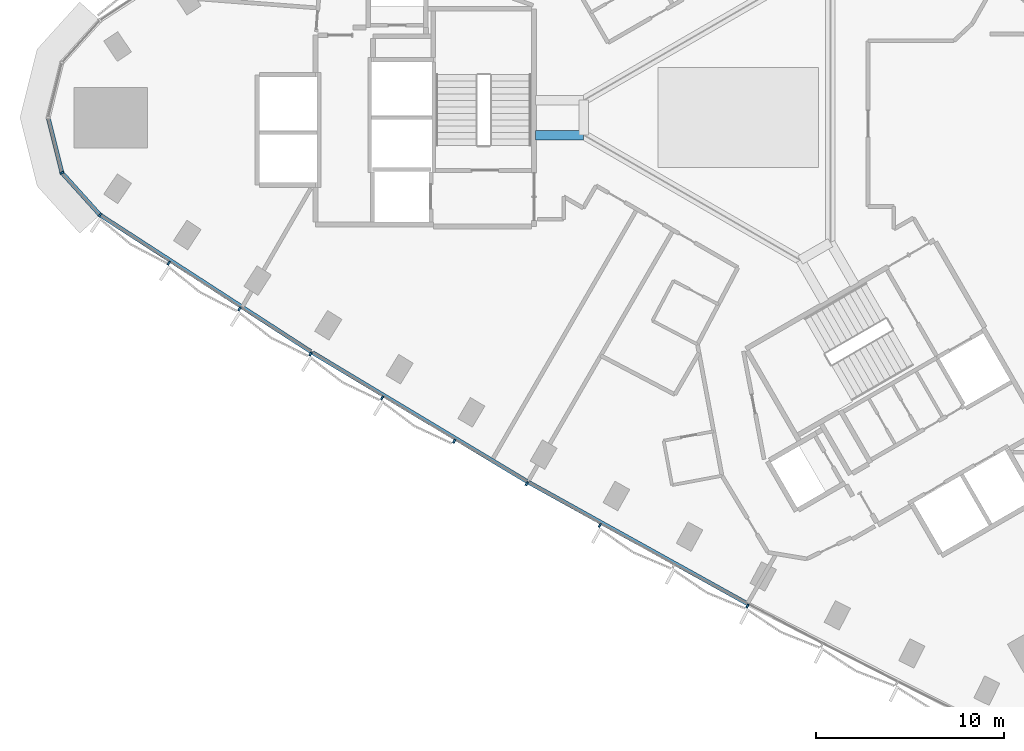
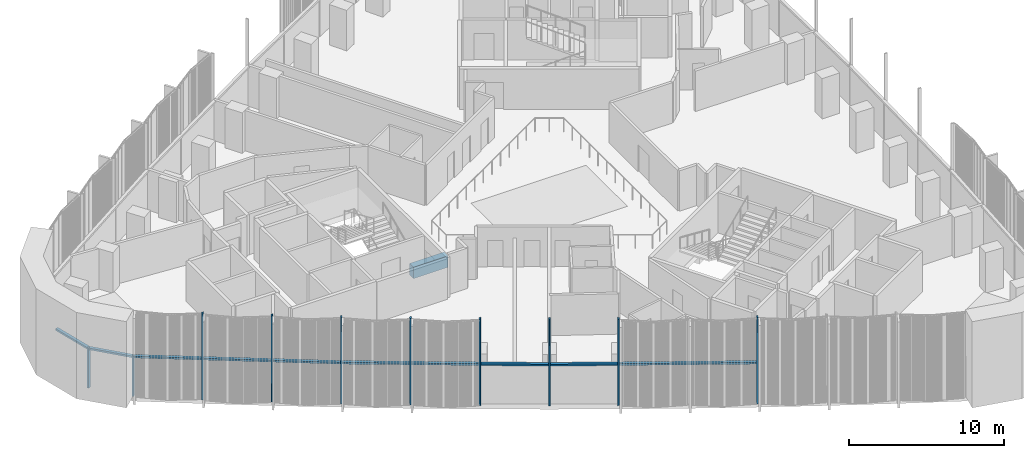
# One storey, part 2 of 15: 15 members, 1 beam, 2 elements without a shape of their own.
"""IFC4 building model written with IfcOpenShell, lengths in metres."""

from ifc_helpers import new_model, si_unit, direction, frame, origin, origin_2d, place, context, subcontext, project, spatial, rectangle, extrude, material, material_profile, profile_set, type_object, element, aggregate, save


model = new_model("IFC4")

# Units and contexts
model_context = context("Model", 3, precision=1e-05, world=origin(), true_north=direction((0.0, 1.0)))
body_context = subcontext(model_context, "Body", "Model", "MODEL_VIEW")
ifc_project = project(units=[si_unit("LENGTHUNIT", "METRE"), si_unit("AREAUNIT", "SQUARE_METRE"), si_unit("VOLUMEUNIT", "CUBIC_METRE"), si_unit("PLANEANGLEUNIT", "RADIAN"), si_unit("MASSUNIT", "GRAM", prefix="KILO")], contexts=[model_context])

# Site, building, storey
site_placement = place(None, origin())
site = spatial("IfcSite", under=ifc_project, at=site_placement, CompositionType="ELEMENT")
building_placement = place(site_placement, origin())
building = spatial("IfcBuilding", under=site, at=building_placement, Name="Tamra Quay Hotel Tower", CompositionType="ELEMENT")
storey_placement = place(building_placement, frame((0.0, 0.0, 79.39990234375)))
storey = spatial("IfcBuildingStorey", under=building, at=storey_placement, Name="L18", CompositionType="ELEMENT", Elevation=79.39990234375)

# Beam
ifc_material_1 = material(Name="Concrete M60", Category="concrete")
ifc_material_profile_1 = material_profile(ifc_material_1, rectangle(XDim=0.5, YDim=0.89990234375, at=origin_2d()), Name="ATRIUM TIE BEAM RC 500x900")
ifc_profile_set_1 = profile_set([ifc_material_profile_1], Name="Concrete M60")
beam_type = type_object("IfcBeamType", Name="ATRIUM TIE BEAM RC 500x900", PredefinedType="BEAM", material=ifc_profile_set_1)
beam_placement = place(storey_placement, frame((-8.199951171875, -0.923828125, -0.875), z_axis=(-1.0, 0.0, 0.0), x_axis=(0.0, -1.0, 0.0)))
element("IfcBeam", 1, at=beam_placement, inside=storey, type_object=beam_type, Name="BM-TIE-3-L18", PredefinedType="BEAM", context=body_context, shape_type="SweptSolid", body=[
    extrude(rectangle(XDim=0.5, YDim=0.89990234375, at=origin_2d()), origin(), (0.0, 0.0, 1.0), 2.562255859375),
])

# Curtain wall, member
ifc_material_2 = material(Name="Aluminium 6063 anodised dark grey", Category="aluminium")
curtain_wall_type_1 = type_object("IfcCurtainWallType", Name="CW2 CURTAIN WALL", PredefinedType="NOTDEFINED", material=ifc_material_2)
curtain_wall_1_placement = place(storey_placement, origin())
curtain_wall_1 = element("IfcCurtainWall", 2, at=curtain_wall_1_placement, inside=storey, type_object=curtain_wall_type_1, Name="CW2 north-west face L18", PredefinedType="NOTDEFINED")
ifc_material_profile_2 = material_profile(ifc_material_2, rectangle(XDim=0.219970703125, YDim=0.10009765625, at=origin_2d()), Name="MULLION 100X220")
ifc_profile_set_2 = profile_set([ifc_material_profile_2], Name="Aluminium 6063 anodised dark grey")
member_type_1 = type_object("IfcMemberType", Name="MULLION CW2 Z2", PredefinedType="MULLION", material=ifc_profile_set_2)
member_1_placement = place(storey_placement, frame((-35.90673828125, -2.9267578125, 0.0), z_axis=(0.0, 0.0, 1.0), x_axis=(-0.882543846683, -0.47023011248, 0.0)))
member_1 = element("IfcMember", 3, at=member_1_placement, type_object=member_type_1, Name="CW2 mullion L18.NW.16", PredefinedType="MULLION", context=body_context, shape_type="SweptSolid", body=[
    extrude(rectangle(XDim=0.219970703125, YDim=0.10009765625, at=origin_2d()), origin(), (0.0, 0.0, 1.0), 3.175048828125),
])

# Curtain wall, members
curtain_wall_type_2 = type_object("IfcCurtainWallType", Name="CW3 CURTAIN WALL", PredefinedType="NOTDEFINED", material=ifc_material_2)
curtain_wall_2_placement = place(storey_placement, origin())
curtain_wall_2 = element("IfcCurtainWall", 4, at=curtain_wall_2_placement, inside=storey, type_object=curtain_wall_type_2, Name="CW3 south-west face L18", PredefinedType="NOTDEFINED")
ifc_material_profile_3 = material_profile(ifc_material_2, rectangle(XDim=0.219970703125, YDim=0.10009765625, at=origin_2d()), Name="MULLION 100X220")
ifc_profile_set_3 = profile_set([ifc_material_profile_3], Name="Aluminium 6063 anodised dark grey")
member_type_2 = type_object("IfcMemberType", Name="MULLION CW3 Z2", PredefinedType="MULLION", material=ifc_profile_set_3)
member_2_placement = place(storey_placement, frame((-33.88525390625, -5.166015625, 0.0), z_axis=(0.0, 0.0, 1.0), x_axis=(-0.652886907072, -0.757455402366, 0.0)))
member_2 = element("IfcMember", 5, at=member_2_placement, type_object=member_type_2, Name="CW3 mullion L18.SW.1", PredefinedType="MULLION", context=body_context, shape_type="SweptSolid", body=[
    extrude(rectangle(XDim=0.219970703125, YDim=0.10009765625, at=origin_2d()), origin(), (0.0, 0.0, 1.0), 3.175048828125),
])
member_3_placement = place(storey_placement, frame((-30.2275390625, -7.7275390625, 0.0), z_axis=(0.0, 0.0, 1.0), x_axis=(-0.548547395815, -0.836119461886, 0.0)))
member_3 = element("IfcMember", 6, at=member_3_placement, type_object=member_type_2, Name="CW3 mullion L18.SW.2", PredefinedType="MULLION", context=body_context, shape_type="SweptSolid", body=[
    extrude(rectangle(XDim=0.219970703125, YDim=0.10009765625, at=origin_2d()), origin(), (0.0, 0.0, 1.0), 6.775146484375),
])
member_4_placement = place(storey_placement, frame((-26.480224609375, -10.155517578125, 0.0), z_axis=(0.0, 0.0, 1.0), x_axis=(-0.538998382955, -0.842306798721, 0.0)))
member_4 = element("IfcMember", 7, at=member_4_placement, type_object=member_type_2, Name="CW3 mullion L18.SW.3", PredefinedType="MULLION", context=body_context, shape_type="SweptSolid", body=[
    extrude(rectangle(XDim=0.219970703125, YDim=0.10009765625, at=origin_2d()), origin(), (0.0, 0.0, 1.0), 6.775146484375),
])
member_5_placement = place(storey_placement, frame((-22.70556640625, -12.540771484375, 0.0), z_axis=(0.0, 0.0, 1.0), x_axis=(-0.529364244047, -0.848394658826, 0.0)))
member_5 = element("IfcMember", 8, at=member_5_placement, type_object=member_type_2, Name="CW3 mullion L18.SW.4", PredefinedType="MULLION", context=body_context, shape_type="SweptSolid", body=[
    extrude(rectangle(XDim=0.219970703125, YDim=0.10009765625, at=origin_2d()), origin(), (0.0, 0.0, 1.0), 6.775146484375),
])
member_6_placement = place(storey_placement, frame((-18.90380859375, -14.883056640625, 0.0), z_axis=(0.0, 0.0, 1.0), x_axis=(-0.519649964402, -0.854379256827, 0.0)))
member_6 = element("IfcMember", 9, at=member_6_placement, type_object=member_type_2, Name="CW3 mullion L18.SW.5", PredefinedType="MULLION", context=body_context, shape_type="SweptSolid", body=[
    extrude(rectangle(XDim=0.219970703125, YDim=0.10009765625, at=origin_2d()), origin(), (0.0, 0.0, 1.0), 6.775146484375),
])
member_7_placement = place(storey_placement, frame((-15.07568359375, -17.181396484375, 0.0), z_axis=(0.0, 0.0, 1.0), x_axis=(-0.50986039475, -0.860257157985, 0.0)))
member_7 = element("IfcMember", 10, at=member_7_placement, type_object=member_type_2, Name="CW3 mullion L18.SW.6", PredefinedType="MULLION", context=body_context, shape_type="SweptSolid", body=[
    extrude(rectangle(XDim=0.219970703125, YDim=0.10009765625, at=origin_2d()), origin(), (0.0, 0.0, 1.0), 6.775146484375),
])
member_8_placement = place(storey_placement, frame((-11.221435546875, -19.436279296875, 0.0), z_axis=(0.0, 0.0, 1.0), x_axis=(-0.5, -0.866025403784, 0.0)))
member_8 = element("IfcMember", 11, at=member_8_placement, type_object=member_type_2, Name="CW3 mullion L18.SW.7", PredefinedType="MULLION", context=body_context, shape_type="SweptSolid", body=[
    extrude(rectangle(XDim=0.219970703125, YDim=0.10009765625, at=origin_2d()), origin(), (0.0, 0.0, 1.0), 6.775146484375),
])
member_9_placement = place(storey_placement, frame((-7.341796875, -21.646728515625, 0.0), z_axis=(0.0, 0.0, 1.0), x_axis=(-0.490074355228, -0.87168063323, 0.0)))
member_9 = element("IfcMember", 12, at=member_9_placement, type_object=member_type_2, Name="CW3 mullion L18.SW.8", PredefinedType="MULLION", context=body_context, shape_type="SweptSolid", body=[
    extrude(rectangle(XDim=0.219970703125, YDim=0.10009765625, at=origin_2d()), origin(), (0.0, 0.0, 1.0), 6.775146484375),
])
member_10_placement = place(storey_placement, frame((0.491943359375, -25.93408203125, 0.0), z_axis=(0.0, 0.0, 1.0), x_axis=(-0.470049204955, -0.882640212613, 0.0)))
member_10 = element("IfcMember", 13, at=member_10_placement, type_object=member_type_2, Name="CW3 mullion L18.SW.10", PredefinedType="MULLION", context=body_context, shape_type="SweptSolid", body=[
    extrude(rectangle(XDim=0.219970703125, YDim=0.10009765625, at=origin_2d()), origin(), (0.0, 0.0, 1.0), 6.775146484375),
])

# Member
ifc_material_profile_4 = material_profile(ifc_material_2, rectangle(XDim=0.219970703125, YDim=0.139892578125, at=origin_2d()), Name="TRANSOM 220X140")
ifc_profile_set_4 = profile_set([ifc_material_profile_4], Name="Aluminium 6063 anodised dark grey")
member_type_3 = type_object("IfcMemberType", Name="TRANSOM CW2 Z2", PredefinedType="USERDEFINED", material=ifc_profile_set_4)
member_11_placement = place(storey_placement, frame((-36.62548828125, -0.048583984375, 3.10498046875), z_axis=(0.242338656789, -0.970191720963, 0.0), x_axis=(0.970191720963, 0.242338656789, 0.0)))
member_11 = element("IfcMember", 14, at=member_11_placement, type_object=member_type_3, Name="CW2 transom L18.NW.15", ObjectType="TRANSOM", PredefinedType="USERDEFINED", context=body_context, shape_type="SweptSolid", body=[
    extrude(rectangle(XDim=0.219970703125, YDim=0.139892578125, at=origin_2d()), origin(), (0.0, 0.0, 1.0), 2.91650390625),
])

member_12_placement = place(storey_placement, frame((-35.873046875, -2.9638671875, 3.10498046875), z_axis=(0.670064659649, -0.742302736011, 0.0), x_axis=(0.742302736011, 0.670064659649, 0.0)))
member_12 = element("IfcMember", 15, at=member_12_placement, type_object=member_type_3, Name="CW2 transom L18.NW.16", ObjectType="TRANSOM", PredefinedType="USERDEFINED", context=body_context, shape_type="SweptSolid", body=[
    extrude(rectangle(XDim=0.219970703125, YDim=0.139892578125, at=origin_2d()), origin(), (0.0, 0.0, 1.0), 2.916748046875),
])

aggregate(curtain_wall_1, [member_11, member_1, member_12])

ifc_material_profile_5 = material_profile(ifc_material_2, rectangle(XDim=0.219970703125, YDim=0.139892578125, at=origin_2d()), Name="TRANSOM 220X140")
ifc_profile_set_5 = profile_set([ifc_material_profile_5], Name="Aluminium 6063 anodised dark grey")
member_type_4 = type_object("IfcMemberType", Name="TRANSOM CW3 Z2", PredefinedType="USERDEFINED", material=ifc_profile_set_5)
member_13_placement = place(storey_placement, frame((-33.843505859375, -5.193603515625, 3.10498046875), z_axis=(0.839227967527, -0.543779751849, 0.0), x_axis=(0.543779751849, 0.839227967527, 0.0)))
member_13 = element("IfcMember", 16, at=member_13_placement, type_object=member_type_4, Name="CW3 transom L18.SW.1", ObjectType="TRANSOM", PredefinedType="USERDEFINED", context=body_context, shape_type="SweptSolid", body=[
    extrude(rectangle(XDim=0.219970703125, YDim=0.139892578125, at=origin_2d()), origin(), (0.0, 0.0, 1.0), 13.290771484375),
])

member_14_placement = place(storey_placement, frame((-22.604736328125, -12.473876953125, 3.10498046875), z_axis=(0.857334050853, -0.514760454238, 0.0), x_axis=(0.514760454238, 0.857334050853, 0.0)))
member_14 = element("IfcMember", 17, at=member_14_placement, type_object=member_type_4, Name="CW3 transom L18.SW.4", ObjectType="TRANSOM", PredefinedType="USERDEFINED", context=body_context, shape_type="SweptSolid", body=[
    extrude(rectangle(XDim=0.219970703125, YDim=0.139892578125, at=origin_2d()), origin(), (0.0, 0.0, 1.0), 13.291259765625),
])

member_15_placement = place(storey_placement, frame((-11.123046875, -19.36572265625, 3.10498046875), z_axis=(0.874463819192, -0.48509074298, 0.0), x_axis=(0.48509074298, 0.874463819192, 0.0)))
member_15 = element("IfcMember", 18, at=member_15_placement, type_object=member_type_4, Name="CW3 transom L18.SW.7", ObjectType="TRANSOM", PredefinedType="USERDEFINED", context=body_context, shape_type="SweptSolid", body=[
    extrude(rectangle(XDim=0.219970703125, YDim=0.139892578125, at=origin_2d()), origin(), (0.0, 0.0, 1.0), 13.291259765625),
])

aggregate(curtain_wall_2, [member_2, member_13, member_3, member_4, member_5, member_14, member_6, member_7, member_8, member_15, member_9, member_10])

save(model, "model.ifc")
